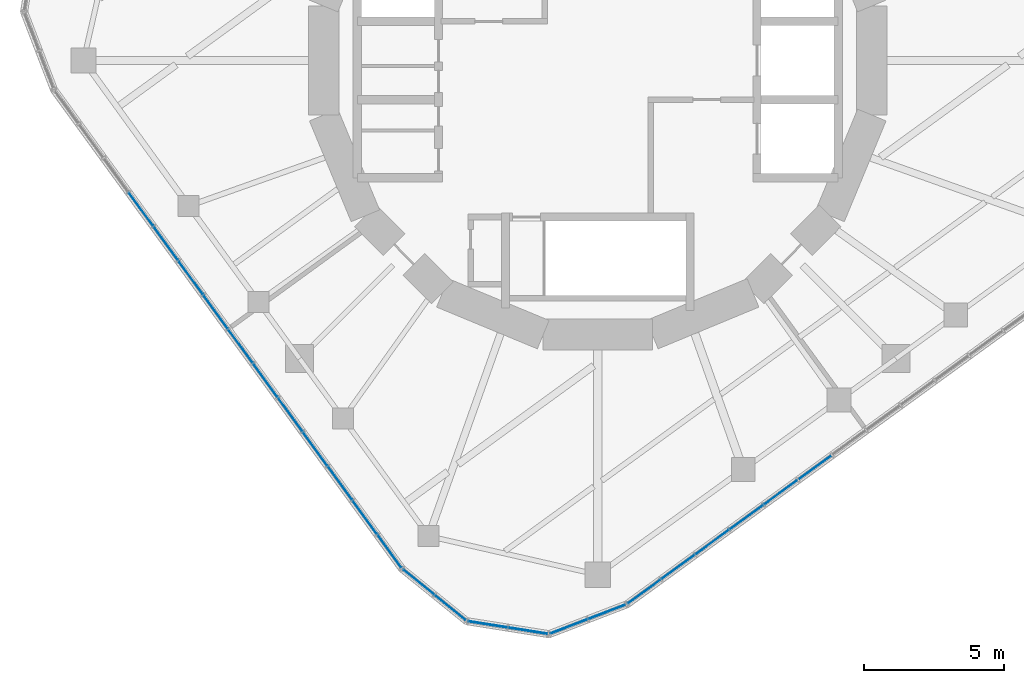
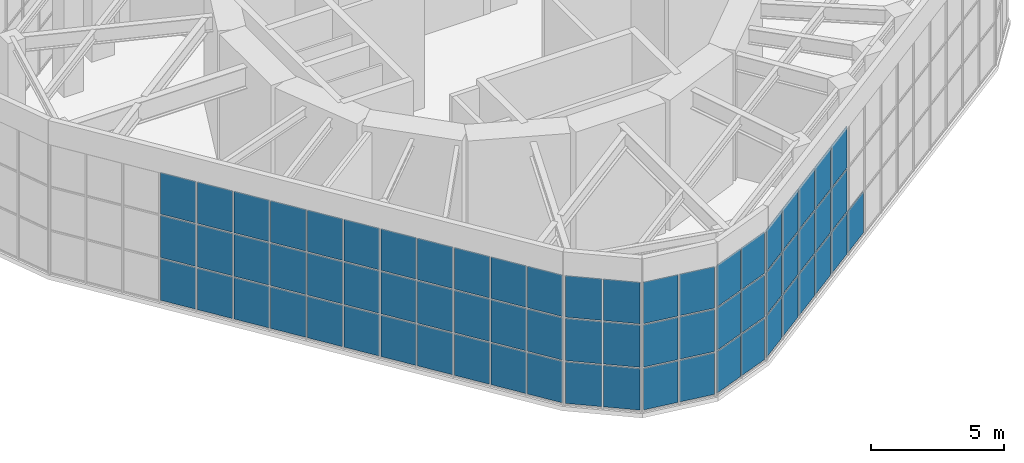
# One storey, part 11 of 17: 67 plates, 5 elements without a shape of their own.
"""IFC4 building model written with IfcOpenShell, lengths in metres."""

from ifc_helpers import new_model, si_unit, direction, frame, origin, origin_2d, place, context, subcontext, project, spatial, rectangle, extrude, material, layer, layer_set, type_object, element, aggregate, save


model = new_model("IFC4")

# Units and contexts
model_context = context("Model", 3, precision=1e-05, world=origin(), true_north=direction((0.0, 1.0)))
body_context = subcontext(model_context, "Body", "Model", "MODEL_VIEW")
ifc_project = project(units=[si_unit("LENGTHUNIT", "METRE"), si_unit("AREAUNIT", "SQUARE_METRE"), si_unit("VOLUMEUNIT", "CUBIC_METRE"), si_unit("PLANEANGLEUNIT", "RADIAN"), si_unit("MASSUNIT", "GRAM", prefix="KILO")], contexts=[model_context])

# Site, building, storey
site_placement = place(None, origin())
site = spatial("IfcSite", under=ifc_project, at=site_placement, CompositionType="ELEMENT")
building_placement = place(site_placement, origin())
building = spatial("IfcBuilding", under=site, at=building_placement, Name="Nakasero Lantern House", CompositionType="ELEMENT")
storey_placement = place(building_placement, frame((0.0, 0.0, 304.39990234375)))
storey = spatial("IfcBuildingStorey", under=building, at=storey_placement, Name="L74", CompositionType="ELEMENT", Elevation=304.39990234375)

# Curtain wall, plates
ifc_material_1 = material(Name="Aluminium 6063-T6 and glass", Category="aluminium")
curtain_wall_type = type_object("IfcCurtainWallType", Name="Lantern glazing CW-4", PredefinedType="USERDEFINED", material=ifc_material_1)
curtain_wall_1_placement = place(storey_placement, origin())
curtain_wall_1 = element("IfcCurtainWall", 1, at=curtain_wall_1_placement, inside=storey, type_object=curtain_wall_type, Name="Curtain wall CW-4 L74", ObjectType="UNITISED CURTAIN WALL", PredefinedType="USERDEFINED")
ifc_material_2 = material(Name="Glass", Category="glass")
ifc_layer = layer(ifc_material_2, 0.028076171875)
ifc_layer_set = layer_set([ifc_layer], Name="Glazed panel CW-4")
plate_type = type_object("IfcPlateType", Name="Glazed panel CW-4", PredefinedType="CURTAIN_PANEL", material=ifc_layer_set)
plate_1_placement = place(storey_placement, frame((-16.3427734375, -5.322509765625, 0.06005859375), z_axis=(0.0, 0.0, 1.0), x_axis=(0.587785252292, -0.809016994375, 0.0)))
plate_1 = element("IfcPlate", 2, at=plate_1_placement, type_object=plate_type, Name="CW-4 panel 4.1", PredefinedType="CURTAIN_PANEL", context=body_context, shape_type="SweptSolid", body=[
    extrude(rectangle(XDim=1.454345703125, YDim=0.028076171875, at=origin_2d()), origin(), (0.0, 0.0, 1.0), 1.909912109375),
])
plate_2_placement = place(storey_placement, frame((-16.3427734375, -5.322509765625, 2.030029296875), z_axis=(0.0, 0.0, 1.0), x_axis=(0.587785252292, -0.809016994375, 0.0)))
plate_2 = element("IfcPlate", 3, at=plate_2_placement, type_object=plate_type, Name="CW-4 panel 4.2", PredefinedType="CURTAIN_PANEL", context=body_context, shape_type="SweptSolid", body=[
    extrude(rectangle(XDim=1.454345703125, YDim=0.028076171875, at=origin_2d()), origin(), (0.0, 0.0, 1.0), 1.93994140625),
])
plate_3_placement = place(storey_placement, frame((-16.3427734375, -5.322509765625, 4.0302734375), z_axis=(0.0, 0.0, 1.0), x_axis=(0.587785252292, -0.809016994375, 0.0)))
plate_3 = element("IfcPlate", 4, at=plate_3_placement, type_object=plate_type, Name="CW-4 panel 4.3", PredefinedType="CURTAIN_PANEL", context=body_context, shape_type="SweptSolid", body=[
    extrude(rectangle(XDim=1.454345703125, YDim=0.028076171875, at=origin_2d()), origin(), (0.0, 0.0, 1.0), 1.909912109375),
])
plate_4_placement = place(storey_placement, frame((-15.45263671875, -6.547607421875, 0.06005859375), z_axis=(0.0, 0.0, 1.0), x_axis=(0.587785252292, -0.809016994375, 0.0)))
plate_4 = element("IfcPlate", 5, at=plate_4_placement, type_object=plate_type, Name="CW-4 panel 5.1", PredefinedType="CURTAIN_PANEL", context=body_context, shape_type="SweptSolid", body=[
    extrude(rectangle(XDim=1.454345703125, YDim=0.028076171875, at=origin_2d()), origin(), (0.0, 0.0, 1.0), 1.909912109375),
])
plate_5_placement = place(storey_placement, frame((-15.45263671875, -6.547607421875, 2.030029296875), z_axis=(0.0, 0.0, 1.0), x_axis=(0.587785252292, -0.809016994375, 0.0)))
plate_5 = element("IfcPlate", 6, at=plate_5_placement, type_object=plate_type, Name="CW-4 panel 5.2", PredefinedType="CURTAIN_PANEL", context=body_context, shape_type="SweptSolid", body=[
    extrude(rectangle(XDim=1.454345703125, YDim=0.028076171875, at=origin_2d()), origin(), (0.0, 0.0, 1.0), 1.93994140625),
])
plate_6_placement = place(storey_placement, frame((-15.45263671875, -6.547607421875, 4.0302734375), z_axis=(0.0, 0.0, 1.0), x_axis=(0.587785252292, -0.809016994375, 0.0)))
plate_6 = element("IfcPlate", 7, at=plate_6_placement, type_object=plate_type, Name="CW-4 panel 5.3", PredefinedType="CURTAIN_PANEL", context=body_context, shape_type="SweptSolid", body=[
    extrude(rectangle(XDim=1.454345703125, YDim=0.028076171875, at=origin_2d()), origin(), (0.0, 0.0, 1.0), 1.909912109375),
])
plate_7_placement = place(storey_placement, frame((-14.5625, -7.772705078125, 0.06005859375), z_axis=(0.0, 0.0, 1.0), x_axis=(0.587785252292, -0.809016994375, 0.0)))
plate_7 = element("IfcPlate", 8, at=plate_7_placement, type_object=plate_type, Name="CW-4 panel 6.1", PredefinedType="CURTAIN_PANEL", context=body_context, shape_type="SweptSolid", body=[
    extrude(rectangle(XDim=1.454345703125, YDim=0.028076171875, at=origin_2d()), origin(), (0.0, 0.0, 1.0), 1.909912109375),
])
plate_8_placement = place(storey_placement, frame((-14.5625, -7.772705078125, 2.030029296875), z_axis=(0.0, 0.0, 1.0), x_axis=(0.587785252292, -0.809016994375, 0.0)))
plate_8 = element("IfcPlate", 9, at=plate_8_placement, type_object=plate_type, Name="CW-4 panel 6.2", PredefinedType="CURTAIN_PANEL", context=body_context, shape_type="SweptSolid", body=[
    extrude(rectangle(XDim=1.454345703125, YDim=0.028076171875, at=origin_2d()), origin(), (0.0, 0.0, 1.0), 1.93994140625),
])
plate_9_placement = place(storey_placement, frame((-14.5625, -7.772705078125, 4.0302734375), z_axis=(0.0, 0.0, 1.0), x_axis=(0.587785252292, -0.809016994375, 0.0)))
plate_9 = element("IfcPlate", 10, at=plate_9_placement, type_object=plate_type, Name="CW-4 panel 6.3", PredefinedType="CURTAIN_PANEL", context=body_context, shape_type="SweptSolid", body=[
    extrude(rectangle(XDim=1.454345703125, YDim=0.028076171875, at=origin_2d()), origin(), (0.0, 0.0, 1.0), 1.909912109375),
])
plate_10_placement = place(storey_placement, frame((-13.67236328125, -8.997802734375, 0.06005859375), z_axis=(0.0, 0.0, 1.0), x_axis=(0.587785252292, -0.809016994375, 0.0)))
plate_10 = element("IfcPlate", 11, at=plate_10_placement, type_object=plate_type, Name="CW-4 panel 7.1", PredefinedType="CURTAIN_PANEL", context=body_context, shape_type="SweptSolid", body=[
    extrude(rectangle(XDim=1.454345703125, YDim=0.028076171875, at=origin_2d()), origin(), (0.0, 0.0, 1.0), 1.909912109375),
])
plate_11_placement = place(storey_placement, frame((-13.67236328125, -8.997802734375, 2.030029296875), z_axis=(0.0, 0.0, 1.0), x_axis=(0.587785252292, -0.809016994375, 0.0)))
plate_11 = element("IfcPlate", 12, at=plate_11_placement, type_object=plate_type, Name="CW-4 panel 7.2", PredefinedType="CURTAIN_PANEL", context=body_context, shape_type="SweptSolid", body=[
    extrude(rectangle(XDim=1.454345703125, YDim=0.028076171875, at=origin_2d()), origin(), (0.0, 0.0, 1.0), 1.93994140625),
])
plate_12_placement = place(storey_placement, frame((-13.67236328125, -8.997802734375, 4.0302734375), z_axis=(0.0, 0.0, 1.0), x_axis=(0.587785252292, -0.809016994375, 0.0)))
plate_12 = element("IfcPlate", 13, at=plate_12_placement, type_object=plate_type, Name="CW-4 panel 7.3", PredefinedType="CURTAIN_PANEL", context=body_context, shape_type="SweptSolid", body=[
    extrude(rectangle(XDim=1.454345703125, YDim=0.028076171875, at=origin_2d()), origin(), (0.0, 0.0, 1.0), 1.909912109375),
])
plate_13_placement = place(storey_placement, frame((-12.782470703125, -10.222900390625, 0.06005859375), z_axis=(0.0, 0.0, 1.0), x_axis=(0.587785252292, -0.809016994375, 0.0)))
plate_13 = element("IfcPlate", 14, at=plate_13_placement, type_object=plate_type, Name="CW-4 panel 8.1", PredefinedType="CURTAIN_PANEL", context=body_context, shape_type="SweptSolid", body=[
    extrude(rectangle(XDim=1.454345703125, YDim=0.028076171875, at=origin_2d()), origin(), (0.0, 0.0, 1.0), 1.909912109375),
])
plate_14_placement = place(storey_placement, frame((-12.782470703125, -10.222900390625, 2.030029296875), z_axis=(0.0, 0.0, 1.0), x_axis=(0.587785252292, -0.809016994375, 0.0)))
plate_14 = element("IfcPlate", 15, at=plate_14_placement, type_object=plate_type, Name="CW-4 panel 8.2", PredefinedType="CURTAIN_PANEL", context=body_context, shape_type="SweptSolid", body=[
    extrude(rectangle(XDim=1.454345703125, YDim=0.028076171875, at=origin_2d()), origin(), (0.0, 0.0, 1.0), 1.93994140625),
])
plate_15_placement = place(storey_placement, frame((-12.782470703125, -10.222900390625, 4.0302734375), z_axis=(0.0, 0.0, 1.0), x_axis=(0.587785252292, -0.809016994375, 0.0)))
plate_15 = element("IfcPlate", 16, at=plate_15_placement, type_object=plate_type, Name="CW-4 panel 8.3", PredefinedType="CURTAIN_PANEL", context=body_context, shape_type="SweptSolid", body=[
    extrude(rectangle(XDim=1.454345703125, YDim=0.028076171875, at=origin_2d()), origin(), (0.0, 0.0, 1.0), 1.909912109375),
])
plate_16_placement = place(storey_placement, frame((-11.892333984375, -11.447998046875, 0.06005859375), z_axis=(0.0, 0.0, 1.0), x_axis=(0.587785252292, -0.809016994375, 0.0)))
plate_16 = element("IfcPlate", 17, at=plate_16_placement, type_object=plate_type, Name="CW-4 panel 9.1", PredefinedType="CURTAIN_PANEL", context=body_context, shape_type="SweptSolid", body=[
    extrude(rectangle(XDim=1.454345703125, YDim=0.028076171875, at=origin_2d()), origin(), (0.0, 0.0, 1.0), 1.909912109375),
])
plate_17_placement = place(storey_placement, frame((-11.892333984375, -11.447998046875, 2.030029296875), z_axis=(0.0, 0.0, 1.0), x_axis=(0.587785252292, -0.809016994375, 0.0)))
plate_17 = element("IfcPlate", 18, at=plate_17_placement, type_object=plate_type, Name="CW-4 panel 9.2", PredefinedType="CURTAIN_PANEL", context=body_context, shape_type="SweptSolid", body=[
    extrude(rectangle(XDim=1.454345703125, YDim=0.028076171875, at=origin_2d()), origin(), (0.0, 0.0, 1.0), 1.93994140625),
])
plate_18_placement = place(storey_placement, frame((-11.892333984375, -11.447998046875, 4.0302734375), z_axis=(0.0, 0.0, 1.0), x_axis=(0.587785252292, -0.809016994375, 0.0)))
plate_18 = element("IfcPlate", 19, at=plate_18_placement, type_object=plate_type, Name="CW-4 panel 9.3", PredefinedType="CURTAIN_PANEL", context=body_context, shape_type="SweptSolid", body=[
    extrude(rectangle(XDim=1.454345703125, YDim=0.028076171875, at=origin_2d()), origin(), (0.0, 0.0, 1.0), 1.909912109375),
])
plate_19_placement = place(storey_placement, frame((-11.002197265625, -12.673095703125, 0.06005859375), z_axis=(0.0, 0.0, 1.0), x_axis=(0.587785252292, -0.809016994375, 0.0)))
plate_19 = element("IfcPlate", 20, at=plate_19_placement, type_object=plate_type, Name="CW-4 panel 10.1", PredefinedType="CURTAIN_PANEL", context=body_context, shape_type="SweptSolid", body=[
    extrude(rectangle(XDim=1.454345703125, YDim=0.028076171875, at=origin_2d()), origin(), (0.0, 0.0, 1.0), 1.909912109375),
])
plate_20_placement = place(storey_placement, frame((-11.002197265625, -12.673095703125, 2.030029296875), z_axis=(0.0, 0.0, 1.0), x_axis=(0.587785252292, -0.809016994375, 0.0)))
plate_20 = element("IfcPlate", 21, at=plate_20_placement, type_object=plate_type, Name="CW-4 panel 10.2", PredefinedType="CURTAIN_PANEL", context=body_context, shape_type="SweptSolid", body=[
    extrude(rectangle(XDim=1.454345703125, YDim=0.028076171875, at=origin_2d()), origin(), (0.0, 0.0, 1.0), 1.93994140625),
])
plate_21_placement = place(storey_placement, frame((-11.002197265625, -12.673095703125, 4.0302734375), z_axis=(0.0, 0.0, 1.0), x_axis=(0.587785252292, -0.809016994375, 0.0)))
plate_21 = element("IfcPlate", 22, at=plate_21_placement, type_object=plate_type, Name="CW-4 panel 10.3", PredefinedType="CURTAIN_PANEL", context=body_context, shape_type="SweptSolid", body=[
    extrude(rectangle(XDim=1.454345703125, YDim=0.028076171875, at=origin_2d()), origin(), (0.0, 0.0, 1.0), 1.909912109375),
])
plate_22_placement = place(storey_placement, frame((-10.112060546875, -13.898193359375, 0.06005859375), z_axis=(0.0, 0.0, 1.0), x_axis=(0.587785252292, -0.809016994375, 0.0)))
plate_22 = element("IfcPlate", 23, at=plate_22_placement, type_object=plate_type, Name="CW-4 panel 11.1", PredefinedType="CURTAIN_PANEL", context=body_context, shape_type="SweptSolid", body=[
    extrude(rectangle(XDim=1.454345703125, YDim=0.028076171875, at=origin_2d()), origin(), (0.0, 0.0, 1.0), 1.909912109375),
])
plate_23_placement = place(storey_placement, frame((-10.112060546875, -13.898193359375, 2.030029296875), z_axis=(0.0, 0.0, 1.0), x_axis=(0.587785252292, -0.809016994375, 0.0)))
plate_23 = element("IfcPlate", 24, at=plate_23_placement, type_object=plate_type, Name="CW-4 panel 11.2", PredefinedType="CURTAIN_PANEL", context=body_context, shape_type="SweptSolid", body=[
    extrude(rectangle(XDim=1.454345703125, YDim=0.028076171875, at=origin_2d()), origin(), (0.0, 0.0, 1.0), 1.93994140625),
])
plate_24_placement = place(storey_placement, frame((-10.112060546875, -13.898193359375, 4.0302734375), z_axis=(0.0, 0.0, 1.0), x_axis=(0.587785252292, -0.809016994375, 0.0)))
plate_24 = element("IfcPlate", 25, at=plate_24_placement, type_object=plate_type, Name="CW-4 panel 11.3", PredefinedType="CURTAIN_PANEL", context=body_context, shape_type="SweptSolid", body=[
    extrude(rectangle(XDim=1.454345703125, YDim=0.028076171875, at=origin_2d()), origin(), (0.0, 0.0, 1.0), 1.909912109375),
])
plate_25_placement = place(storey_placement, frame((-9.22216796875, -15.123046875, 0.06005859375), z_axis=(0.0, 0.0, 1.0), x_axis=(0.587785252292, -0.809016994375, 0.0)))
plate_25 = element("IfcPlate", 26, at=plate_25_placement, type_object=plate_type, Name="CW-4 panel 12.1", PredefinedType="CURTAIN_PANEL", context=body_context, shape_type="SweptSolid", body=[
    extrude(rectangle(XDim=1.454345703125, YDim=0.028076171875, at=origin_2d()), origin(), (0.0, 0.0, 1.0), 1.909912109375),
])
plate_26_placement = place(storey_placement, frame((-9.22216796875, -15.123046875, 2.030029296875), z_axis=(0.0, 0.0, 1.0), x_axis=(0.587785252292, -0.809016994375, 0.0)))
plate_26 = element("IfcPlate", 27, at=plate_26_placement, type_object=plate_type, Name="CW-4 panel 12.2", PredefinedType="CURTAIN_PANEL", context=body_context, shape_type="SweptSolid", body=[
    extrude(rectangle(XDim=1.454345703125, YDim=0.028076171875, at=origin_2d()), origin(), (0.0, 0.0, 1.0), 1.93994140625),
])
plate_27_placement = place(storey_placement, frame((-9.22216796875, -15.123046875, 4.0302734375), z_axis=(0.0, 0.0, 1.0), x_axis=(0.587785252292, -0.809016994375, 0.0)))
plate_27 = element("IfcPlate", 28, at=plate_27_placement, type_object=plate_type, Name="CW-4 panel 12.3", PredefinedType="CURTAIN_PANEL", context=body_context, shape_type="SweptSolid", body=[
    extrude(rectangle(XDim=1.454345703125, YDim=0.028076171875, at=origin_2d()), origin(), (0.0, 0.0, 1.0), 1.909912109375),
])
plate_28_placement = place(storey_placement, frame((-8.33203125, -16.34814453125, 0.06005859375), z_axis=(0.0, 0.0, 1.0), x_axis=(0.587785252292, -0.809016994375, 0.0)))
plate_28 = element("IfcPlate", 29, at=plate_28_placement, type_object=plate_type, Name="CW-4 panel 13.1", PredefinedType="CURTAIN_PANEL", context=body_context, shape_type="SweptSolid", body=[
    extrude(rectangle(XDim=1.454345703125, YDim=0.028076171875, at=origin_2d()), origin(), (0.0, 0.0, 1.0), 1.909912109375),
])
plate_29_placement = place(storey_placement, frame((-8.33203125, -16.34814453125, 2.030029296875), z_axis=(0.0, 0.0, 1.0), x_axis=(0.587785252292, -0.809016994375, 0.0)))
plate_29 = element("IfcPlate", 30, at=plate_29_placement, type_object=plate_type, Name="CW-4 panel 13.2", PredefinedType="CURTAIN_PANEL", context=body_context, shape_type="SweptSolid", body=[
    extrude(rectangle(XDim=1.454345703125, YDim=0.028076171875, at=origin_2d()), origin(), (0.0, 0.0, 1.0), 1.93994140625),
])
plate_30_placement = place(storey_placement, frame((-8.33203125, -16.34814453125, 4.0302734375), z_axis=(0.0, 0.0, 1.0), x_axis=(0.587785252292, -0.809016994375, 0.0)))
plate_30 = element("IfcPlate", 31, at=plate_30_placement, type_object=plate_type, Name="CW-4 panel 13.3", PredefinedType="CURTAIN_PANEL", context=body_context, shape_type="SweptSolid", body=[
    extrude(rectangle(XDim=1.454345703125, YDim=0.028076171875, at=origin_2d()), origin(), (0.0, 0.0, 1.0), 1.909912109375),
])
plate_31_placement = place(storey_placement, frame((-7.45068359375, -17.561279296875, 0.06005859375), z_axis=(0.0, 0.0, 1.0), x_axis=(0.587785252292, -0.809016994375, 0.0)))
plate_31 = element("IfcPlate", 32, at=plate_31_placement, type_object=plate_type, Name="CW-4 panel 14.1", PredefinedType="CURTAIN_PANEL", context=body_context, shape_type="SweptSolid", body=[
    extrude(rectangle(XDim=1.42431640625, YDim=0.028076171875, at=origin_2d()), origin(), (0.0, 0.0, 1.0), 1.909912109375),
])
plate_32_placement = place(storey_placement, frame((-7.45068359375, -17.561279296875, 2.030029296875), z_axis=(0.0, 0.0, 1.0), x_axis=(0.587785252292, -0.809016994375, 0.0)))
plate_32 = element("IfcPlate", 33, at=plate_32_placement, type_object=plate_type, Name="CW-4 panel 14.2", PredefinedType="CURTAIN_PANEL", context=body_context, shape_type="SweptSolid", body=[
    extrude(rectangle(XDim=1.42431640625, YDim=0.028076171875, at=origin_2d()), origin(), (0.0, 0.0, 1.0), 1.93994140625),
])
plate_33_placement = place(storey_placement, frame((-7.45068359375, -17.561279296875, 4.0302734375), z_axis=(0.0, 0.0, 1.0), x_axis=(0.587785252292, -0.809016994375, 0.0)))
plate_33 = element("IfcPlate", 34, at=plate_33_placement, type_object=plate_type, Name="CW-4 panel 14.3", PredefinedType="CURTAIN_PANEL", context=body_context, shape_type="SweptSolid", body=[
    extrude(rectangle(XDim=1.42431640625, YDim=0.028076171875, at=origin_2d()), origin(), (0.0, 0.0, 1.0), 1.909912109375),
])
aggregate(curtain_wall_1, [plate_1, plate_2, plate_3, plate_4, plate_5, plate_6, plate_7, plate_8, plate_9, plate_10, plate_11, plate_12, plate_13, plate_14, plate_15, plate_16, plate_17, plate_18, plate_19, plate_20, plate_21, plate_22, plate_23, plate_24, plate_25, plate_26, plate_27, plate_28, plate_29, plate_30, plate_31, plate_32, plate_33])

curtain_wall_2_placement = place(storey_placement, origin())
curtain_wall_2 = element("IfcCurtainWall", 35, at=curtain_wall_2_placement, inside=storey, type_object=curtain_wall_type, Name="Curtain wall CW-4 L74", ObjectType="UNITISED CURTAIN WALL", PredefinedType="USERDEFINED")
plate_34_placement = place(storey_placement, frame((-6.406982421875, -18.66357421875, 0.06005859375), z_axis=(0.0, 0.0, 1.0), x_axis=(0.777145961424, -0.629320391091, 0.0)))
plate_34 = element("IfcPlate", 36, at=plate_34_placement, type_object=plate_type, Name="CW-4 panel 1.1", PredefinedType="CURTAIN_PANEL", context=body_context, shape_type="SweptSolid", body=[
    extrude(rectangle(XDim=1.398193359375, YDim=0.028076171875, at=origin_2d()), origin(), (0.0, 0.0, 1.0), 1.909912109375),
])
plate_35_placement = place(storey_placement, frame((-6.406982421875, -18.66357421875, 2.030029296875), z_axis=(0.0, 0.0, 1.0), x_axis=(0.777145961424, -0.629320391091, 0.0)))
plate_35 = element("IfcPlate", 37, at=plate_35_placement, type_object=plate_type, Name="CW-4 panel 1.2", PredefinedType="CURTAIN_PANEL", context=body_context, shape_type="SweptSolid", body=[
    extrude(rectangle(XDim=1.398193359375, YDim=0.028076171875, at=origin_2d()), origin(), (0.0, 0.0, 1.0), 1.93994140625),
])
plate_36_placement = place(storey_placement, frame((-6.406982421875, -18.66357421875, 4.0302734375), z_axis=(0.0, 0.0, 1.0), x_axis=(0.777145961424, -0.629320391091, 0.0)))
plate_36 = element("IfcPlate", 38, at=plate_36_placement, type_object=plate_type, Name="CW-4 panel 1.3", PredefinedType="CURTAIN_PANEL", context=body_context, shape_type="SweptSolid", body=[
    extrude(rectangle(XDim=1.398193359375, YDim=0.028076171875, at=origin_2d()), origin(), (0.0, 0.0, 1.0), 1.909912109375),
])
plate_37_placement = place(storey_placement, frame((-5.273681640625, -19.581298828125, 0.06005859375), z_axis=(0.0, 0.0, 1.0), x_axis=(0.777145961424, -0.629320391091, 0.0)))
plate_37 = element("IfcPlate", 39, at=plate_37_placement, type_object=plate_type, Name="CW-4 panel 2.1", PredefinedType="CURTAIN_PANEL", context=body_context, shape_type="SweptSolid", body=[
    extrude(rectangle(XDim=1.398193359375, YDim=0.028076171875, at=origin_2d()), origin(), (0.0, 0.0, 1.0), 1.909912109375),
])
plate_38_placement = place(storey_placement, frame((-5.273681640625, -19.581298828125, 2.030029296875), z_axis=(0.0, 0.0, 1.0), x_axis=(0.777145961424, -0.629320391091, 0.0)))
plate_38 = element("IfcPlate", 40, at=plate_38_placement, type_object=plate_type, Name="CW-4 panel 2.2", PredefinedType="CURTAIN_PANEL", context=body_context, shape_type="SweptSolid", body=[
    extrude(rectangle(XDim=1.398193359375, YDim=0.028076171875, at=origin_2d()), origin(), (0.0, 0.0, 1.0), 1.93994140625),
])
plate_39_placement = place(storey_placement, frame((-5.273681640625, -19.581298828125, 4.0302734375), z_axis=(0.0, 0.0, 1.0), x_axis=(0.777145961424, -0.629320391091, 0.0)))
plate_39 = element("IfcPlate", 41, at=plate_39_placement, type_object=plate_type, Name="CW-4 panel 2.3", PredefinedType="CURTAIN_PANEL", context=body_context, shape_type="SweptSolid", body=[
    extrude(rectangle(XDim=1.398193359375, YDim=0.028076171875, at=origin_2d()), origin(), (0.0, 0.0, 1.0), 1.909912109375),
])
aggregate(curtain_wall_2, [plate_34, plate_35, plate_36, plate_37, plate_38, plate_39])

curtain_wall_3_placement = place(storey_placement, origin())
curtain_wall_3 = element("IfcCurtainWall", 42, at=curtain_wall_3_placement, inside=storey, type_object=curtain_wall_type, Name="Curtain wall CW-4 L74", ObjectType="UNITISED CURTAIN WALL", PredefinedType="USERDEFINED")
plate_40_placement = place(storey_placement, frame((-3.93408203125, -20.177734375, 0.06005859375), z_axis=(0.0, 0.0, 1.0), x_axis=(0.987688340595, -0.15643446504, 0.0)))
plate_40 = element("IfcPlate", 43, at=plate_40_placement, type_object=plate_type, Name="CW-4 panel 1.1", PredefinedType="CURTAIN_PANEL", context=body_context, shape_type="SweptSolid", body=[
    extrude(rectangle(XDim=1.398193359375, YDim=0.028076171875, at=origin_2d()), origin(), (0.0, 0.0, 1.0), 1.909912109375),
])
plate_41_placement = place(storey_placement, frame((-3.93408203125, -20.177734375, 2.030029296875), z_axis=(0.0, 0.0, 1.0), x_axis=(0.987688340595, -0.15643446504, 0.0)))
plate_41 = element("IfcPlate", 44, at=plate_41_placement, type_object=plate_type, Name="CW-4 panel 1.2", PredefinedType="CURTAIN_PANEL", context=body_context, shape_type="SweptSolid", body=[
    extrude(rectangle(XDim=1.398193359375, YDim=0.028076171875, at=origin_2d()), origin(), (0.0, 0.0, 1.0), 1.93994140625),
])
plate_42_placement = place(storey_placement, frame((-3.93408203125, -20.177734375, 4.0302734375), z_axis=(0.0, 0.0, 1.0), x_axis=(0.987688340595, -0.15643446504, 0.0)))
plate_42 = element("IfcPlate", 45, at=plate_42_placement, type_object=plate_type, Name="CW-4 panel 1.3", PredefinedType="CURTAIN_PANEL", context=body_context, shape_type="SweptSolid", body=[
    extrude(rectangle(XDim=1.398193359375, YDim=0.028076171875, at=origin_2d()), origin(), (0.0, 0.0, 1.0), 1.909912109375),
])
plate_43_placement = place(storey_placement, frame((-2.493896484375, -20.40576171875, 0.06005859375), z_axis=(0.0, 0.0, 1.0), x_axis=(0.987688340595, -0.15643446504, 0.0)))
plate_43 = element("IfcPlate", 46, at=plate_43_placement, type_object=plate_type, Name="CW-4 panel 2.1", PredefinedType="CURTAIN_PANEL", context=body_context, shape_type="SweptSolid", body=[
    extrude(rectangle(XDim=1.398193359375, YDim=0.028076171875, at=origin_2d()), origin(), (0.0, 0.0, 1.0), 1.909912109375),
])
plate_44_placement = place(storey_placement, frame((-2.493896484375, -20.40576171875, 2.030029296875), z_axis=(0.0, 0.0, 1.0), x_axis=(0.987688340595, -0.15643446504, 0.0)))
plate_44 = element("IfcPlate", 47, at=plate_44_placement, type_object=plate_type, Name="CW-4 panel 2.2", PredefinedType="CURTAIN_PANEL", context=body_context, shape_type="SweptSolid", body=[
    extrude(rectangle(XDim=1.398193359375, YDim=0.028076171875, at=origin_2d()), origin(), (0.0, 0.0, 1.0), 1.93994140625),
])
plate_45_placement = place(storey_placement, frame((-2.493896484375, -20.40576171875, 4.0302734375), z_axis=(0.0, 0.0, 1.0), x_axis=(0.987688340595, -0.15643446504, 0.0)))
plate_45 = element("IfcPlate", 48, at=plate_45_placement, type_object=plate_type, Name="CW-4 panel 2.3", PredefinedType="CURTAIN_PANEL", context=body_context, shape_type="SweptSolid", body=[
    extrude(rectangle(XDim=1.398193359375, YDim=0.028076171875, at=origin_2d()), origin(), (0.0, 0.0, 1.0), 1.909912109375),
])
aggregate(curtain_wall_3, [plate_40, plate_41, plate_42, plate_43, plate_44, plate_45])

curtain_wall_4_placement = place(storey_placement, origin())
curtain_wall_4 = element("IfcCurtainWall", 49, at=curtain_wall_4_placement, inside=storey, type_object=curtain_wall_type, Name="Curtain wall CW-4 L74", ObjectType="UNITISED CURTAIN WALL", PredefinedType="USERDEFINED")
plate_46_placement = place(storey_placement, frame((-1.035400390625, -20.252685546875, 0.06005859375), z_axis=(0.0, 0.0, 1.0), x_axis=(0.933580426472, 0.35836794961, 0.0)))
plate_46 = element("IfcPlate", 50, at=plate_46_placement, type_object=plate_type, Name="CW-4 panel 1.1", PredefinedType="CURTAIN_PANEL", context=body_context, shape_type="SweptSolid", body=[
    extrude(rectangle(XDim=1.398193359375, YDim=0.028076171875, at=origin_2d()), origin(), (0.0, 0.0, 1.0), 1.909912109375),
])
plate_47_placement = place(storey_placement, frame((-1.035400390625, -20.252685546875, 2.030029296875), z_axis=(0.0, 0.0, 1.0), x_axis=(0.933580426472, 0.35836794961, 0.0)))
plate_47 = element("IfcPlate", 51, at=plate_47_placement, type_object=plate_type, Name="CW-4 panel 1.2", PredefinedType="CURTAIN_PANEL", context=body_context, shape_type="SweptSolid", body=[
    extrude(rectangle(XDim=1.398193359375, YDim=0.028076171875, at=origin_2d()), origin(), (0.0, 0.0, 1.0), 1.93994140625),
])
plate_48_placement = place(storey_placement, frame((-1.035400390625, -20.252685546875, 4.0302734375), z_axis=(0.0, 0.0, 1.0), x_axis=(0.933580426472, 0.35836794961, 0.0)))
plate_48 = element("IfcPlate", 52, at=plate_48_placement, type_object=plate_type, Name="CW-4 panel 1.3", PredefinedType="CURTAIN_PANEL", context=body_context, shape_type="SweptSolid", body=[
    extrude(rectangle(XDim=1.398193359375, YDim=0.028076171875, at=origin_2d()), origin(), (0.0, 0.0, 1.0), 1.909912109375),
])
plate_49_placement = place(storey_placement, frame((0.325927734375, -19.72998046875, 0.06005859375), z_axis=(0.0, 0.0, 1.0), x_axis=(0.933580426472, 0.35836794961, 0.0)))
plate_49 = element("IfcPlate", 53, at=plate_49_placement, type_object=plate_type, Name="CW-4 panel 2.1", PredefinedType="CURTAIN_PANEL", context=body_context, shape_type="SweptSolid", body=[
    extrude(rectangle(XDim=1.398193359375, YDim=0.028076171875, at=origin_2d()), origin(), (0.0, 0.0, 1.0), 1.909912109375),
])
plate_50_placement = place(storey_placement, frame((0.325927734375, -19.72998046875, 2.030029296875), z_axis=(0.0, 0.0, 1.0), x_axis=(0.933580426472, 0.35836794961, 0.0)))
plate_50 = element("IfcPlate", 54, at=plate_50_placement, type_object=plate_type, Name="CW-4 panel 2.2", PredefinedType="CURTAIN_PANEL", context=body_context, shape_type="SweptSolid", body=[
    extrude(rectangle(XDim=1.398193359375, YDim=0.028076171875, at=origin_2d()), origin(), (0.0, 0.0, 1.0), 1.93994140625),
])
plate_51_placement = place(storey_placement, frame((0.325927734375, -19.72998046875, 4.0302734375), z_axis=(0.0, 0.0, 1.0), x_axis=(0.933580426472, 0.35836794961, 0.0)))
plate_51 = element("IfcPlate", 55, at=plate_51_placement, type_object=plate_type, Name="CW-4 panel 2.3", PredefinedType="CURTAIN_PANEL", context=body_context, shape_type="SweptSolid", body=[
    extrude(rectangle(XDim=1.398193359375, YDim=0.028076171875, at=origin_2d()), origin(), (0.0, 0.0, 1.0), 1.909912109375),
])
aggregate(curtain_wall_4, [plate_46, plate_47, plate_48, plate_49, plate_50, plate_51])

curtain_wall_5_placement = place(storey_placement, origin())
curtain_wall_5 = element("IfcCurtainWall", 56, at=curtain_wall_5_placement, inside=storey, type_object=curtain_wall_type, Name="Curtain wall CW-4 L74", ObjectType="UNITISED CURTAIN WALL", PredefinedType="USERDEFINED")
plate_52_placement = place(storey_placement, frame((1.659423828125, -19.004150390625, 0.06005859375), z_axis=(0.0, 0.0, 1.0), x_axis=(0.809016994375, 0.587785252292, 0.0)))
plate_52 = element("IfcPlate", 57, at=plate_52_placement, type_object=plate_type, Name="CW-4 panel 1.1", PredefinedType="CURTAIN_PANEL", context=body_context, shape_type="SweptSolid", body=[
    extrude(rectangle(XDim=1.42431640625, YDim=0.028076171875, at=origin_2d()), origin(), (0.0, 0.0, 1.0), 1.909912109375),
])
plate_53_placement = place(storey_placement, frame((1.659423828125, -19.004150390625, 2.030029296875), z_axis=(0.0, 0.0, 1.0), x_axis=(0.809016994375, 0.587785252292, 0.0)))
plate_53 = element("IfcPlate", 58, at=plate_53_placement, type_object=plate_type, Name="CW-4 panel 1.2", PredefinedType="CURTAIN_PANEL", context=body_context, shape_type="SweptSolid", body=[
    extrude(rectangle(XDim=1.42431640625, YDim=0.028076171875, at=origin_2d()), origin(), (0.0, 0.0, 1.0), 1.93994140625),
])
plate_54_placement = place(storey_placement, frame((1.659423828125, -19.004150390625, 4.0302734375), z_axis=(0.0, 0.0, 1.0), x_axis=(0.809016994375, 0.587785252292, 0.0)))
plate_54 = element("IfcPlate", 59, at=plate_54_placement, type_object=plate_type, Name="CW-4 panel 1.3", PredefinedType="CURTAIN_PANEL", context=body_context, shape_type="SweptSolid", body=[
    extrude(rectangle(XDim=1.42431640625, YDim=0.028076171875, at=origin_2d()), origin(), (0.0, 0.0, 1.0), 1.909912109375),
])
plate_55_placement = place(storey_placement, frame((2.872314453125, -18.122802734375, 0.06005859375), z_axis=(0.0, 0.0, 1.0), x_axis=(0.809016994375, 0.587785252292, 0.0)))
plate_55 = element("IfcPlate", 60, at=plate_55_placement, type_object=plate_type, Name="CW-4 panel 2.1", PredefinedType="CURTAIN_PANEL", context=body_context, shape_type="SweptSolid", body=[
    extrude(rectangle(XDim=1.454345703125, YDim=0.028076171875, at=origin_2d()), origin(), (0.0, 0.0, 1.0), 1.909912109375),
])
plate_56_placement = place(storey_placement, frame((2.872314453125, -18.122802734375, 2.030029296875), z_axis=(0.0, 0.0, 1.0), x_axis=(0.809016994375, 0.587785252292, 0.0)))
plate_56 = element("IfcPlate", 61, at=plate_56_placement, type_object=plate_type, Name="CW-4 panel 2.2", PredefinedType="CURTAIN_PANEL", context=body_context, shape_type="SweptSolid", body=[
    extrude(rectangle(XDim=1.454345703125, YDim=0.028076171875, at=origin_2d()), origin(), (0.0, 0.0, 1.0), 1.93994140625),
])
plate_57_placement = place(storey_placement, frame((2.872314453125, -18.122802734375, 4.0302734375), z_axis=(0.0, 0.0, 1.0), x_axis=(0.809016994375, 0.587785252292, 0.0)))
plate_57 = element("IfcPlate", 62, at=plate_57_placement, type_object=plate_type, Name="CW-4 panel 2.3", PredefinedType="CURTAIN_PANEL", context=body_context, shape_type="SweptSolid", body=[
    extrude(rectangle(XDim=1.454345703125, YDim=0.028076171875, at=origin_2d()), origin(), (0.0, 0.0, 1.0), 1.909912109375),
])
plate_58_placement = place(storey_placement, frame((4.097412109375, -17.232666015625, 0.06005859375), z_axis=(0.0, 0.0, 1.0), x_axis=(0.809016994375, 0.587785252292, 0.0)))
plate_58 = element("IfcPlate", 63, at=plate_58_placement, type_object=plate_type, Name="CW-4 panel 3.1", PredefinedType="CURTAIN_PANEL", context=body_context, shape_type="SweptSolid", body=[
    extrude(rectangle(XDim=1.454345703125, YDim=0.028076171875, at=origin_2d()), origin(), (0.0, 0.0, 1.0), 1.909912109375),
])
plate_59_placement = place(storey_placement, frame((4.097412109375, -17.232666015625, 2.030029296875), z_axis=(0.0, 0.0, 1.0), x_axis=(0.809016994375, 0.587785252292, 0.0)))
plate_59 = element("IfcPlate", 64, at=plate_59_placement, type_object=plate_type, Name="CW-4 panel 3.2", PredefinedType="CURTAIN_PANEL", context=body_context, shape_type="SweptSolid", body=[
    extrude(rectangle(XDim=1.454345703125, YDim=0.028076171875, at=origin_2d()), origin(), (0.0, 0.0, 1.0), 1.93994140625),
])
plate_60_placement = place(storey_placement, frame((4.097412109375, -17.232666015625, 4.0302734375), z_axis=(0.0, 0.0, 1.0), x_axis=(0.809016994375, 0.587785252292, 0.0)))
plate_60 = element("IfcPlate", 65, at=plate_60_placement, type_object=plate_type, Name="CW-4 panel 3.3", PredefinedType="CURTAIN_PANEL", context=body_context, shape_type="SweptSolid", body=[
    extrude(rectangle(XDim=1.454345703125, YDim=0.028076171875, at=origin_2d()), origin(), (0.0, 0.0, 1.0), 1.909912109375),
])
plate_61_placement = place(storey_placement, frame((5.322509765625, -16.3427734375, 0.06005859375), z_axis=(0.0, 0.0, 1.0), x_axis=(0.809016994375, 0.587785252292, 0.0)))
plate_61 = element("IfcPlate", 66, at=plate_61_placement, type_object=plate_type, Name="CW-4 panel 4.1", PredefinedType="CURTAIN_PANEL", context=body_context, shape_type="SweptSolid", body=[
    extrude(rectangle(XDim=1.454345703125, YDim=0.028076171875, at=origin_2d()), origin(), (0.0, 0.0, 1.0), 1.909912109375),
])
plate_62_placement = place(storey_placement, frame((5.322509765625, -16.3427734375, 2.030029296875), z_axis=(0.0, 0.0, 1.0), x_axis=(0.809016994375, 0.587785252292, 0.0)))
plate_62 = element("IfcPlate", 67, at=plate_62_placement, type_object=plate_type, Name="CW-4 panel 4.2", PredefinedType="CURTAIN_PANEL", context=body_context, shape_type="SweptSolid", body=[
    extrude(rectangle(XDim=1.454345703125, YDim=0.028076171875, at=origin_2d()), origin(), (0.0, 0.0, 1.0), 1.93994140625),
])
plate_63_placement = place(storey_placement, frame((5.322509765625, -16.3427734375, 4.0302734375), z_axis=(0.0, 0.0, 1.0), x_axis=(0.809016994375, 0.587785252292, 0.0)))
plate_63 = element("IfcPlate", 68, at=plate_63_placement, type_object=plate_type, Name="CW-4 panel 4.3", PredefinedType="CURTAIN_PANEL", context=body_context, shape_type="SweptSolid", body=[
    extrude(rectangle(XDim=1.454345703125, YDim=0.028076171875, at=origin_2d()), origin(), (0.0, 0.0, 1.0), 1.909912109375),
])
plate_64_placement = place(storey_placement, frame((6.547607421875, -15.45263671875, 0.06005859375), z_axis=(0.0, 0.0, 1.0), x_axis=(0.809016994375, 0.587785252292, 0.0)))
plate_64 = element("IfcPlate", 69, at=plate_64_placement, type_object=plate_type, Name="CW-4 panel 5.1", PredefinedType="CURTAIN_PANEL", context=body_context, shape_type="SweptSolid", body=[
    extrude(rectangle(XDim=1.454345703125, YDim=0.028076171875, at=origin_2d()), origin(), (0.0, 0.0, 1.0), 1.909912109375),
])
plate_65_placement = place(storey_placement, frame((6.547607421875, -15.45263671875, 2.030029296875), z_axis=(0.0, 0.0, 1.0), x_axis=(0.809016994375, 0.587785252292, 0.0)))
plate_65 = element("IfcPlate", 70, at=plate_65_placement, type_object=plate_type, Name="CW-4 panel 5.2", PredefinedType="CURTAIN_PANEL", context=body_context, shape_type="SweptSolid", body=[
    extrude(rectangle(XDim=1.454345703125, YDim=0.028076171875, at=origin_2d()), origin(), (0.0, 0.0, 1.0), 1.93994140625),
])
plate_66_placement = place(storey_placement, frame((6.547607421875, -15.45263671875, 4.0302734375), z_axis=(0.0, 0.0, 1.0), x_axis=(0.809016994375, 0.587785252292, 0.0)))
plate_66 = element("IfcPlate", 71, at=plate_66_placement, type_object=plate_type, Name="CW-4 panel 5.3", PredefinedType="CURTAIN_PANEL", context=body_context, shape_type="SweptSolid", body=[
    extrude(rectangle(XDim=1.454345703125, YDim=0.028076171875, at=origin_2d()), origin(), (0.0, 0.0, 1.0), 1.909912109375),
])
plate_67_placement = place(storey_placement, frame((7.772705078125, -14.5625, 0.06005859375), z_axis=(0.0, 0.0, 1.0), x_axis=(0.809016994375, 0.587785252292, 0.0)))
plate_67 = element("IfcPlate", 72, at=plate_67_placement, type_object=plate_type, Name="CW-4 panel 6.1", PredefinedType="CURTAIN_PANEL", context=body_context, shape_type="SweptSolid", body=[
    extrude(rectangle(XDim=1.454345703125, YDim=0.028076171875, at=origin_2d()), origin(), (0.0, 0.0, 1.0), 1.909912109375),
])
aggregate(curtain_wall_5, [plate_52, plate_53, plate_54, plate_55, plate_56, plate_57, plate_58, plate_59, plate_60, plate_61, plate_62, plate_63, plate_64, plate_65, plate_66, plate_67])

save(model, "model.ifc")
